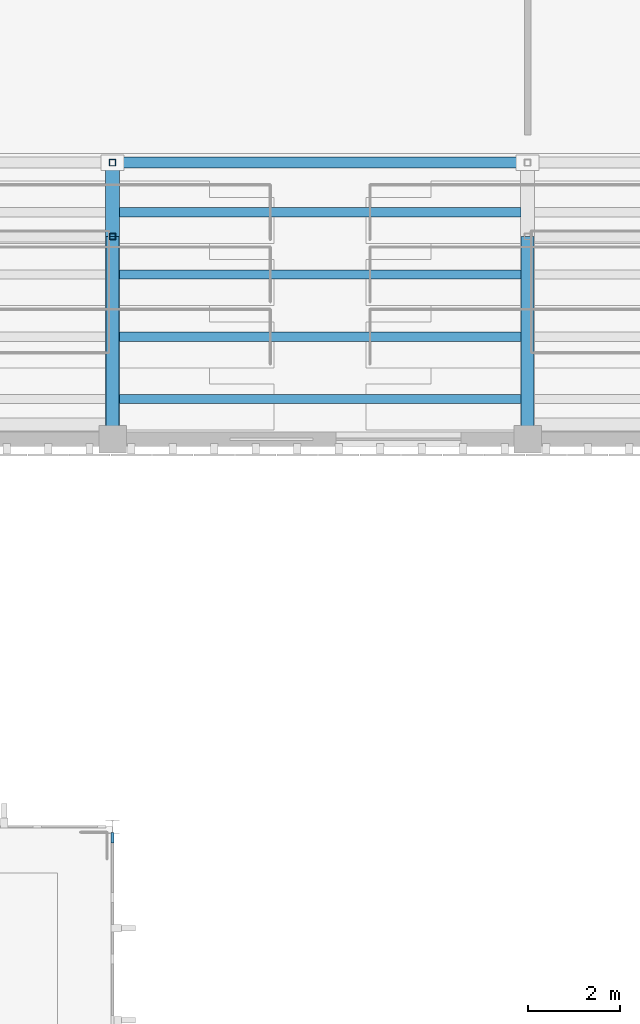
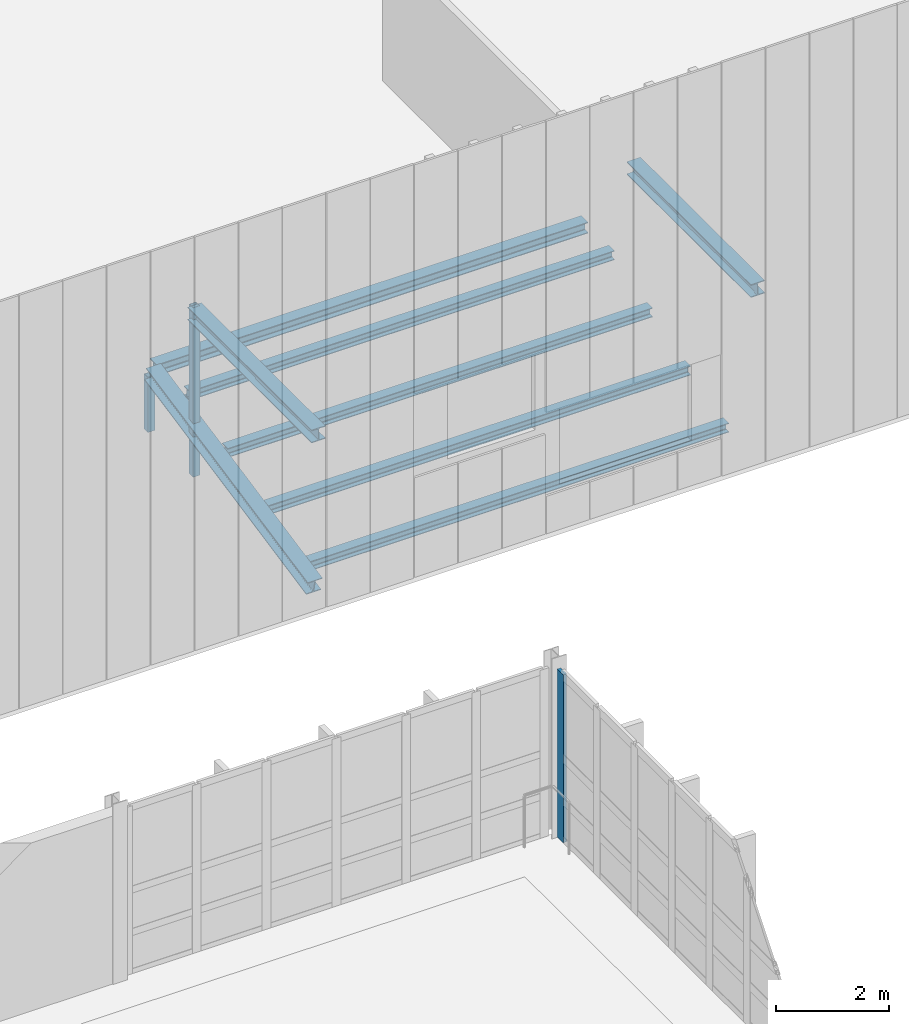
# One storey, part 19 of 67: 8 beams, 3 members, 1 element without a shape of its own.
"""IFC4 building model written with IfcOpenShell, lengths in metres."""

from ifc_helpers import new_model, si_unit, direction, frame, origin, origin_2d, place, context, subcontext, project, spatial, rectangle, hollow_rectangle, i_section, extrude, material, material_profile, profile_set, type_object, element, aggregate, save


model = new_model("IFC4")

# Units and contexts
model_context = context("Model", 3, precision=1e-05, world=origin(), true_north=direction((0.0, 1.0)))
body_context = subcontext(model_context, "Body", "Model", "MODEL_VIEW")
ifc_project = project(units=[si_unit("LENGTHUNIT", "METRE"), si_unit("AREAUNIT", "SQUARE_METRE"), si_unit("VOLUMEUNIT", "CUBIC_METRE"), si_unit("PLANEANGLEUNIT", "RADIAN"), si_unit("MASSUNIT", "GRAM", prefix="KILO")], contexts=[model_context])

# Site, building, storey
site_placement = place(None, origin())
site = spatial("IfcSite", under=ifc_project, at=site_placement, CompositionType="ELEMENT")
building_placement = place(site_placement, origin())
building = spatial("IfcBuilding", under=site, at=building_placement, Name="Tizgana Railside Sports Hall", CompositionType="ELEMENT")
storey_placement = place(building_placement, frame((0.0, 0.0, 12.0)))
storey = spatial("IfcBuildingStorey", under=building, at=storey_placement, Name="L02", CompositionType="ELEMENT", Elevation=12.0)

# Curtain wall, member
ifc_material_1 = material(Name="Anodised aluminium and glass", Category="aluminium")
curtain_wall_type = type_object("IfcCurtainWallType", Name="Unitised Curtain Wall WestHall 1560", PredefinedType="NOTDEFINED", material=ifc_material_1)
curtain_wall_placement = place(storey_placement, origin())
curtain_wall = element("IfcCurtainWall", 1, at=curtain_wall_placement, inside=storey, type_object=curtain_wall_type, Name="L02 Curtain Wall CW-0118", PredefinedType="NOTDEFINED")
ifc_material_2 = material(Name="Anodised aluminium", Category="aluminium")
ifc_material_profile_1 = material_profile(ifc_material_2, rectangle(XDim=0.070068359375, YDim=0.219970703125, at=origin_2d()), Name="Mullion 70x220")
ifc_profile_set_1 = profile_set([ifc_material_profile_1], Name="Anodised aluminium")
member_type_1 = type_object("IfcMemberType", Name="Mullion 70x220", PredefinedType="MULLION", material=ifc_profile_set_1)
member_1_placement = place(storey_placement, frame((97.800048828125, 32.159912109375, 0.0), z_axis=(0.0, 0.0, 1.0), x_axis=(1.0, 0.0, 0.0)))
member_1 = element("IfcMember", 2, at=member_1_placement, type_object=member_type_1, Name="CW-07 mullion 1", PredefinedType="MULLION", context=body_context, shape_type="SweptSolid", body=[
    extrude(rectangle(XDim=0.070068359375, YDim=0.219970703125, at=origin_2d()), origin(), (0.0, 0.0, 1.0), 3.639892578125),
])
aggregate(curtain_wall, [member_1])

# Beams
ifc_material_3 = material(Name="Steel S355J2", Category="steel")
ifc_material_profile_2 = material_profile(ifc_material_3, i_section(OverallWidth=0.199951171875, OverallDepth=0.199951171875, WebThickness=0.009033203125, FlangeThickness=0.014892578125, FilletRadius=0.01806640625, at=origin_2d()), Name="HEB 200")
ifc_profile_set_2 = profile_set([ifc_material_profile_2], Name="Steel S355J2")
beam_type_1 = type_object("IfcBeamType", Name="Steel Beam HEB 200", PredefinedType="BEAM", material=ifc_profile_set_2)
for number, where, z_axis, x_axis, name in (
    (3, (97.945068359375, 41.675048828125, 0.10498046875), (1.0, 0.0, 0.0), (0.0, 1.0, 0.0), "L02 Stand Stringer BEM-0073"),
    (4, (97.945068359375, 43.02490234375, 0.52490234375), (1.0, 0.0, 0.0), (0.0, 1.0, 0.0), "L02 Stand Stringer BEM-0078"),
    (5, (97.945068359375, 44.375, 0.965087890625), (1.0, 0.0, 0.0), (0.0, 1.0, 0.0), "L02 Stand Stringer BEM-0083"),
    (6, (97.945068359375, 45.72509765625, 1.385009765625), (1.0, 0.0, 0.0), (0.0, 1.0, 0.0), "L02 Stand Stringer BEM-0088"),
):
    element("IfcBeam", number, at=place(storey_placement, frame(where, z_axis=z_axis, x_axis=x_axis)), inside=storey, type_object=beam_type_1, Name=name, PredefinedType="BEAM", context=body_context, shape_type="SweptSolid", body=[
        extrude(i_section(OverallWidth=0.199951171875, OverallDepth=0.199951171875, WebThickness=0.009033203125, FlangeThickness=0.014892578125, FilletRadius=0.01806640625, at=origin_2d()), origin(), (0.0, 0.0, 1.0), 8.7099609375),
    ])
ifc_material_profile_3 = material_profile(ifc_material_3, i_section(OverallWidth=0.239990234375, OverallDepth=0.239990234375, WebThickness=0.010009765625, FlangeThickness=0.01708984375, FilletRadius=0.02099609375, at=origin_2d()), Name="HEB 240")
ifc_profile_set_3 = profile_set([ifc_material_profile_3], Name="Steel S355J2")
beam_type_2 = type_object("IfcBeamType", Name="Steel Beam HEB 240", PredefinedType="BEAM", material=ifc_profile_set_3)
beam_1_placement = place(storey_placement, frame((97.8798828125, 46.800048828125, 1.320068359375), z_axis=(1.0, 0.0, 0.0), x_axis=(0.0, 1.0, 0.0)))
element("IfcBeam", 7, at=beam_1_placement, inside=storey, type_object=beam_type_2, Name="L02 Stand Rear Header SHB-0013", PredefinedType="BEAM", context=body_context, shape_type="SweptSolid", body=[
    extrude(i_section(OverallWidth=0.239990234375, OverallDepth=0.239990234375, WebThickness=0.010009765625, FlangeThickness=0.01708984375, FilletRadius=0.02099609375, at=origin_2d()), origin(), (0.0, 0.0, 1.0), 8.840087890625),
])
ifc_material_profile_4 = material_profile(ifc_material_3, i_section(OverallWidth=0.280029296875, OverallDepth=0.280029296875, WebThickness=0.010498046875, FlangeThickness=0.01806640625, FilletRadius=0.02392578125, at=origin_2d()), Name="HEB 280")
ifc_profile_set_4 = profile_set([ifc_material_profile_4], Name="Steel S355J2")
beam_type_3 = type_object("IfcBeamType", Name="Steel Beam HEB 280", PredefinedType="BEAM", material=ifc_profile_set_4)
for number, where, z_axis, x_axis, name in (
    (8, (97.800048828125, 40.800048828125, 3.530029296875), (0.0, 1.0, 0.0), (-1.0, 0.0, 0.0), "L02 BEM-1280"),
    (9, (106.800048828125, 40.800048828125, 3.530029296875), (0.0, 1.0, 0.0), (-1.0, 0.0, 0.0), "L02 BEM-1283"),
):
    element("IfcBeam", number, at=place(storey_placement, frame(where, z_axis=z_axis, x_axis=x_axis)), inside=storey, type_object=beam_type_3, Name=name, PredefinedType="BEAM", context=body_context, shape_type="SweptSolid", body=[
        extrude(i_section(OverallWidth=0.280029296875, OverallDepth=0.280029296875, WebThickness=0.010498046875, FlangeThickness=0.01806640625, FilletRadius=0.02392578125, at=origin_2d()), origin(), (0.0, 0.0, 1.0), 4.39990234375),
    ])
ifc_material_profile_5 = material_profile(ifc_material_3, i_section(OverallWidth=0.300048828125, OverallDepth=0.300048828125, WebThickness=0.010986328125, FlangeThickness=0.01904296875, FilletRadius=0.027099609375, at=origin_2d()), Name="HEB 300")
ifc_profile_set_5 = profile_set([ifc_material_profile_5], Name="Steel S355J2")
beam_type_4 = type_object("IfcBeamType", Name="Steel Beam HEB 300", PredefinedType="BEAM", material=ifc_profile_set_5)
beam_2_placement = place(storey_placement, frame((97.800048828125, 40.949951171875, 0.14990234375), z_axis=(0.0, 0.979812896837, 0.199916700632), x_axis=(-1.0, 0.0, 0.0)))
element("IfcBeam", 10, at=beam_2_placement, inside=storey, type_object=beam_type_4, Name="L02 Stand Main Raker BEM-0067", PredefinedType="BEAM", context=body_context, shape_type="SweptSolid", body=[
    extrude(i_section(OverallWidth=0.300048828125, OverallDepth=0.300048828125, WebThickness=0.010986328125, FlangeThickness=0.01904296875, FilletRadius=0.027099609375, at=origin_2d()), origin(), (0.0, 0.0, 1.0), 5.853271484375),
])

# Members
ifc_material_profile_6 = material_profile(ifc_material_3, hollow_rectangle(XDim=0.139892578125, YDim=0.139892578125, WallThickness=0.008056640625, at=origin_2d()), Name="SHS 140x140x8")
ifc_profile_set_6 = profile_set([ifc_material_profile_6], Name="Steel S355J2")
member_type_2 = type_object("IfcMemberType", Name="Steel Brace SHS 140x140x8", PredefinedType="BRACE", material=ifc_profile_set_6)
member_2_placement = place(storey_placement, frame((97.800048828125, 46.800048828125, 0.0), z_axis=(0.0, 0.0, 1.0), x_axis=(1.0, 0.0, 0.0)))
element("IfcMember", 11, at=member_2_placement, inside=storey, type_object=member_type_2, Name="L02 Stand Strut", PredefinedType="BRACE", context=body_context, shape_type="SweptSolid", body=[
    extrude(hollow_rectangle(XDim=0.139892578125, YDim=0.139892578125, WallThickness=0.008056640625, at=origin_2d()), origin(), (0.0, 0.0, 1.0), 1.18994140625),
])
member_3_placement = place(storey_placement, frame((97.800048828125, 45.199951171875, 0.0), z_axis=(0.0, 0.0, 1.0), x_axis=(1.0, 0.0, 0.0)))
element("IfcMember", 12, at=member_3_placement, inside=storey, type_object=member_type_2, Name="L02 Catwalk Hanger", PredefinedType="BRACE", context=body_context, shape_type="SweptSolid", body=[
    extrude(hollow_rectangle(XDim=0.139892578125, YDim=0.139892578125, WallThickness=0.008056640625, at=origin_2d()), origin(), (0.0, 0.0, 1.0), 3.669921875),
])

save(model, "model.ifc")
